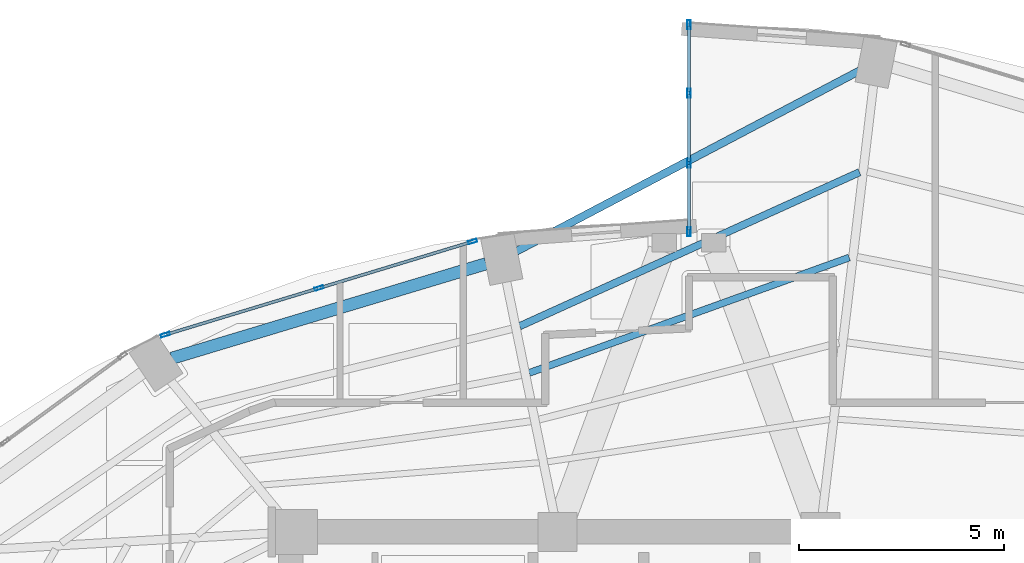
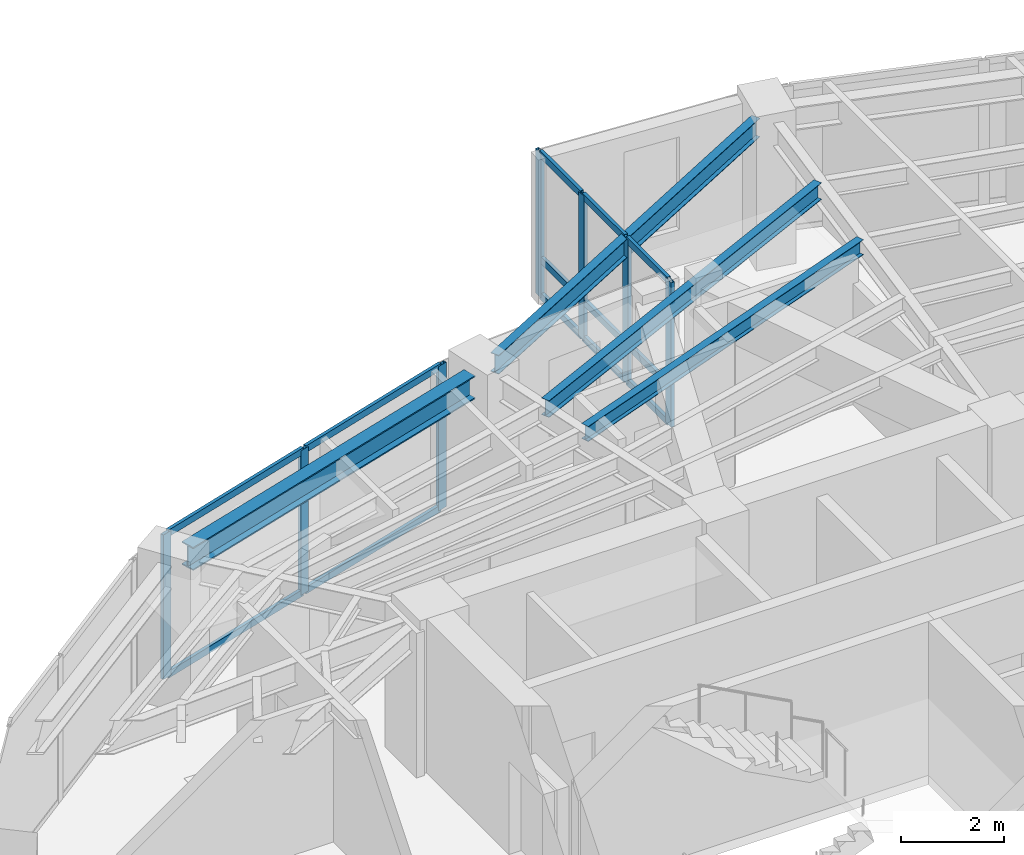
# One storey, part 12 of 20: 20 members, 4 beams, 2 elements without a shape of their own.
"""IFC4 building model written with IfcOpenShell, lengths in metres."""

import ifcopenshell
import ifcopenshell.guid

model = None  # the IFC model being written
_history = None  # IfcOwnerHistory: only IFC2X3 demands one
_inside = {}  # id of a spatial element -> (the spatial element, [elements in it])
_under = {}  # id of a project, library or spatial element -> (it, [spatial elements below it])
_declared = {}  # id of a project -> (the project, [libraries it declares])
_typed = {}  # id of a type object -> (the type object, [elements of that type])
_made_of = {}  # id of a material, layer set ... -> (it, [elements and type objects made of it])


def new_model(schema):
    """Start an empty IFC model of exactly this schema.

    Asked for "IFC4X3", IfcOpenShell would pick the latest addendum, in which some entities
    have other attributes; the version numbers below select the first issue.
    IFC2X3 requires an IfcOwnerHistory on every rooted entity: one is made here for all.
    """
    global model, _history
    if schema == "IFC4X3":
        model = ifcopenshell.file(schema_version=(4, 3, 0, 0))
    else:
        model = ifcopenshell.file(schema=schema)
    _inside.clear()
    _under.clear()
    _declared.clear()
    _typed.clear()
    _made_of.clear()
    _history = None
    if model.schema == "IFC2X3":
        org = make("IfcOrganization", Name="unknown")
        user = make(
            "IfcPersonAndOrganization",
            ThePerson=make("IfcPerson", FamilyName="unknown"),
            TheOrganization=org,
        )
        app = make(
            "IfcApplication",
            ApplicationDeveloper=org,
            Version="unknown",
            ApplicationFullName="unknown",
            ApplicationIdentifier="unknown",
        )
        _history = make(
            "IfcOwnerHistory",
            OwningUser=user,
            OwningApplication=app,
            ChangeAction="ADDED",
            CreationDate=0,
        )
    return model


def make(cls, **values):
    """One entity of the class cls with the attributes given. An attribute that is None is left unset."""
    return model.create_entity(
        cls, **{name: value for name, value in values.items() if value is not None}
    )


def rooted(cls, **values):
    """An entity with a GlobalId (a new one), such as an element, a storey or a relation."""
    return make(cls, GlobalId=ifcopenshell.guid.new(), OwnerHistory=_history, **values)


def si_unit(unit_type, name, prefix=None):
    """IfcSIUnit, for example si_unit("LENGTHUNIT", "METRE", prefix="MILLI")."""
    return make("IfcSIUnit", UnitType=unit_type, Prefix=prefix, Name=name)


def assignment(units):
    """IfcUnitAssignment: the units of a project."""
    return None if units is None else make("IfcUnitAssignment", Units=units)


def point(xyz):
    """IfcCartesianPoint."""
    return None if xyz is None else make("IfcCartesianPoint", Coordinates=xyz)


def direction(xyz):
    """IfcDirection."""
    return None if xyz is None else make("IfcDirection", DirectionRatios=xyz)


def frame(location, z_axis=None, x_axis=None):
    """IfcAxis2Placement3D, a coordinate frame: its origin and axes. An axis left out is left unset."""
    return make(
        "IfcAxis2Placement3D",
        Location=point(location),
        Axis=direction(z_axis),
        RefDirection=direction(x_axis),
    )


def frame_2d(location, x_axis=None):
    """IfcAxis2Placement2D, a coordinate frame in the plane: its origin and x axis."""
    return make(
        "IfcAxis2Placement2D", Location=point(location), RefDirection=direction(x_axis)
    )


def origin():
    """The frame at (0, 0, 0) with its axes left unset."""
    return frame((0.0, 0.0, 0.0))


def origin_2d():
    """The frame at (0, 0) in the plane with its x axis left unset."""
    return frame_2d((0.0, 0.0))


def place(relative_to, where):
    """IfcLocalPlacement: puts the frame where relative to a parent placement (None: the world)."""
    return make(
        "IfcLocalPlacement", PlacementRelTo=relative_to, RelativePlacement=where
    )


def context(
    kind, dimensions, precision=None, world=None, true_north=None, identifier=None
):
    """IfcGeometricRepresentationContext, for example the 3D "Model" context."""
    return make(
        "IfcGeometricRepresentationContext",
        ContextIdentifier=identifier,
        ContextType=kind,
        CoordinateSpaceDimension=dimensions,
        Precision=precision,
        WorldCoordinateSystem=world,
        TrueNorth=true_north,
    )


def subcontext(parent, identifier, kind, view, scale=None):
    """IfcGeometricRepresentationSubContext, for example "Body" below "Model"."""
    return make(
        "IfcGeometricRepresentationSubContext",
        ContextIdentifier=identifier,
        ContextType=kind,
        ParentContext=parent,
        TargetScale=scale,
        TargetView=view,
    )


def project(units=None, contexts=None):
    """IfcProject with its units and contexts."""
    return rooted(
        "IfcProject",
        Name="project",
        RepresentationContexts=contexts,
        UnitsInContext=assignment(units),
    )


def spatial(cls, under=None, at=None, **own):
    """A site, building, storey or space (cls), placed at a placement, below another one or the project."""
    s = rooted(cls, ObjectPlacement=at, **own)
    if under is not None:
        _under.setdefault(under.id(), (under, []))[1].append(s)
    return s


def profile(cls, at=None, kind="AREA", **sizes):
    """A parametric profile (cls). Its sizes go by their IFC names, for example OverallWidth=200.0."""
    return make(cls, ProfileType=kind, Position=at, **sizes)


def hollow_rectangle(**sizes):
    """IfcRectangleHollowProfileDef."""
    return profile("IfcRectangleHollowProfileDef", **sizes)


def i_section(**sizes):
    """IfcIShapeProfileDef."""
    return profile("IfcIShapeProfileDef", **sizes)


def extrude(swept, where, along, depth):
    """IfcExtrudedAreaSolid: the profile swept, set in the frame where, extruded along a direction by depth."""
    return make(
        "IfcExtrudedAreaSolid",
        SweptArea=swept,
        Position=where,
        ExtrudedDirection=direction(along),
        Depth=depth,
    )


def shape(context_of_items, identifier, shape_type, items):
    """IfcShapeRepresentation: the items that make up one representation, for example the "Body"."""
    return make(
        "IfcShapeRepresentation",
        ContextOfItems=context_of_items,
        RepresentationIdentifier=identifier,
        RepresentationType=shape_type,
        Items=items,
    )


def material(Name=None, Category=None):
    """IfcMaterial."""
    return make("IfcMaterial", Name=Name, Category=Category)


def layer(
    of_material, thickness, ventilated=None, Name=None, Category=None, Priority=None
):
    """IfcMaterialLayer: one layer of a wall or slab, of a material (None: an air gap)."""
    return make(
        "IfcMaterialLayer",
        Material=of_material,
        LayerThickness=thickness,
        IsVentilated=ventilated,
        Name=Name,
        Category=Category,
        Priority=Priority,
    )


def layer_set(layers, Name=None):
    """IfcMaterialLayerSet."""
    return make("IfcMaterialLayerSet", MaterialLayers=layers, LayerSetName=Name)


def material_profile(
    of_material, cross_section, Name=None, Category=None, Priority=None
):
    """IfcMaterialProfile: a cross section and its material."""
    return make(
        "IfcMaterialProfile",
        Name=Name,
        Material=of_material,
        Profile=cross_section,
        Priority=Priority,
        Category=Category,
    )


def profile_set(profiles, Name=None, composite=None):
    """IfcMaterialProfileSet."""
    return make(
        "IfcMaterialProfileSet",
        Name=Name,
        MaterialProfiles=profiles,
        CompositeProfile=composite,
    )


def made_of(thing, what):
    """Note that an element or type object is made of a material, layer set ...; save() writes the relation."""
    if what is not None:
        _made_of.setdefault(what.id(), (what, []))[1].append(thing)
    return thing


def type_object(cls, material=None, **own):
    """A type object (cls), such as IfcWallType, which elements share."""
    return made_of(rooted(cls, **own), material)


def element(
    cls,
    number,
    at=None,
    inside=None,
    cuts=None,
    type_object=None,
    material=None,
    context=None,
    identifier="Body",
    shape_type=None,
    held_by="IfcProductDefinitionShape",
    body=None,
    shapes=None,
    **own,
):
    """One element of the class cls, such as IfcWall. Its Tag is "e" and its number.

    at: its placement. inside: the storey or other place that contains it. cuts: it is an
    opening in that element (IfcRelVoidsElement). A single representation is given by context,
    identifier, shape_type and body (its items); several are given by shapes. held_by: the class
    of the entity that holds the representations. save() writes the other relations.
    """
    e = rooted(cls, Tag="e%d" % number, ObjectPlacement=at, **own)
    if body is not None:
        shapes = [shape(context, identifier, shape_type, body)]
    if shapes is not None:
        e.Representation = make(held_by, Representations=shapes)
    if inside is not None:
        _inside.setdefault(inside.id(), (inside, []))[1].append(e)
    if cuts is not None:
        rooted(
            "IfcRelVoidsElement", RelatingBuildingElement=cuts, RelatedOpeningElement=e
        )
    if type_object is not None:
        _typed.setdefault(type_object.id(), (type_object, []))[1].append(e)
    return made_of(e, material)


def aggregate(whole, parts):
    """IfcRelAggregates: a whole, such as a stair, and the parts it consists of."""
    return rooted("IfcRelAggregates", RelatingObject=whole, RelatedObjects=parts)


def save(model, path):
    """Write the relations noted so far, then the file.

    IfcRelAggregates (storeys below a building ...), IfcRelContainedInSpatialStructure (elements
    in a storey), IfcRelDefinesByType, IfcRelAssociatesMaterial and IfcRelDeclares: one each for
    every whole, place, type object, material and project.
    """
    for whole, parts in _under.values():
        aggregate(whole, parts)
    for where, things in _inside.values():
        rooted(
            "IfcRelContainedInSpatialStructure",
            RelatedElements=things,
            RelatingStructure=where,
        )
    for kind, things in _typed.values():
        rooted("IfcRelDefinesByType", RelatedObjects=things, RelatingType=kind)
    for what, things in _made_of.values():
        rooted("IfcRelAssociatesMaterial", RelatedObjects=things, RelatingMaterial=what)
    for by, libraries in _declared.values():
        rooted("IfcRelDeclares", RelatingContext=by, RelatedDefinitions=libraries)
    model.write(path)


model = new_model("IFC4")

# Units and contexts
model_context = context("Model", 3, precision=1e-05, world=origin(), true_north=direction((0.0, 1.0)))
body_context = subcontext(model_context, "Body", "Model", "MODEL_VIEW")
ifc_project = project(units=[si_unit("LENGTHUNIT", "METRE"), si_unit("AREAUNIT", "SQUARE_METRE"), si_unit("VOLUMEUNIT", "CUBIC_METRE"), si_unit("PLANEANGLEUNIT", "RADIAN"), si_unit("MASSUNIT", "GRAM", prefix="KILO")], contexts=[model_context])

# Site, building, storey
site_placement = place(None, origin())
site = spatial("IfcSite", under=ifc_project, at=site_placement, CompositionType="ELEMENT")
building_placement = place(site_placement, origin())
building = spatial("IfcBuilding", under=site, at=building_placement, Name="Lazwardi Medical Tower", CompositionType="ELEMENT")
storey_placement = place(building_placement, frame((0.0, 0.0, 156.528076171875)))
storey = spatial("IfcBuildingStorey", under=building, at=storey_placement, Name="L40", CompositionType="ELEMENT", Elevation=156.528076171875)

# Beams
ifc_material_1 = material(Name="Steel S355", Category="steel")
ifc_material_profile_1 = material_profile(ifc_material_1, i_section(OverallWidth=0.300048828125, OverallDepth=0.550048828125, WebThickness=0.014892578125, FlangeThickness=0.029052734375, at=origin_2d()), Name="HEB 550")
ifc_profile_set_1 = profile_set([ifc_material_profile_1], Name="Steel S355")
beam_type_1 = type_object("IfcBeamType", Name="BM-RB-Z3", PredefinedType="BEAM", material=ifc_profile_set_1)
beam_1_placement = place(storey_placement, frame((31.056884765625, 42.133544921875, 3.15283203125), z_axis=(-0.957616873483, -0.288045002771, 0.0), x_axis=(0.288045002771, -0.957616873483, 0.0)))
element("IfcBeam", 1, at=beam_1_placement, inside=storey, type_object=beam_type_1, Name="Ring beam RB-04 B09 L40", PredefinedType="BEAM", context=body_context, shape_type="SweptSolid", body=[
    extrude(i_section(OverallWidth=0.300048828125, OverallDepth=0.550048828125, WebThickness=0.014892578125, FlangeThickness=0.029052734375, at=origin_2d()), origin(), (0.0, 0.0, 1.0), 7.99951171875),
])
ifc_material_profile_2 = material_profile(ifc_material_1, i_section(OverallWidth=0.179931640625, OverallDepth=0.39990234375, WebThickness=0.008544921875, FlangeThickness=0.013427734375, at=origin_2d()), Name="IPE 400")
ifc_profile_set_2 = profile_set([ifc_material_profile_2], Name="Steel S355")
beam_type_2 = type_object("IfcBeamType", Name="BM-SJ-01", PredefinedType="JOIST", material=ifc_profile_set_2)
beam_2_placement = place(storey_placement, frame((40.155029296875, 44.3642578125, 3.22802734375), z_axis=(-0.910834000674, -0.412772846995, 0.0), x_axis=(0.412772846995, -0.910834000674, 0.0)))
element("IfcBeam", 2, at=beam_2_placement, inside=storey, type_object=beam_type_2, Name="Secondary joist SJ-01 R1 B08 L40", PredefinedType="JOIST", context=body_context, shape_type="SweptSolid", body=[
    extrude(i_section(OverallWidth=0.179931640625, OverallDepth=0.39990234375, WebThickness=0.008544921875, FlangeThickness=0.013427734375, at=origin_2d()), origin(), (0.0, 0.0, 1.0), 9.09130859375),
])
ifc_material_profile_3 = material_profile(ifc_material_1, i_section(OverallWidth=0.169921875, OverallDepth=0.360107421875, WebThickness=0.008056640625, FlangeThickness=0.0126953125, at=origin_2d()), Name="IPE 360")
ifc_profile_set_3 = profile_set([ifc_material_profile_3], Name="Steel S355")
beam_type_3 = type_object("IfcBeamType", Name="BM-SJ-02", PredefinedType="JOIST", material=ifc_profile_set_3)
beam_3_placement = place(storey_placement, frame((39.904052734375, 42.284423828125, 3.247802734375), z_axis=(-0.940747993319, -0.339106492221, 0.0), x_axis=(0.339106492221, -0.940747993319, 0.0)))
element("IfcBeam", 3, at=beam_3_placement, inside=storey, type_object=beam_type_3, Name="Secondary joist SJ-02 R2 B08 L40", PredefinedType="JOIST", context=body_context, shape_type="SweptSolid", body=[
    extrude(i_section(OverallWidth=0.169921875, OverallDepth=0.360107421875, WebThickness=0.008056640625, FlangeThickness=0.0126953125, at=origin_2d()), origin(), (0.0, 0.0, 1.0), 8.28662109375),
])
ifc_material_profile_4 = material_profile(ifc_material_1, i_section(OverallWidth=0.18994140625, OverallDepth=0.449951171875, WebThickness=0.009521484375, FlangeThickness=0.0146484375, at=origin_2d()), Name="IPE 450")
ifc_profile_set_4 = profile_set([ifc_material_profile_4], Name="Steel S355")
beam_type_4 = type_object("IfcBeamType", Name="BM-SP-01", PredefinedType="SPANDREL", material=ifc_profile_set_4)
beam_4_placement = place(storey_placement, frame((40.206298828125, 46.862548828125, 3.202880859375), z_axis=(-0.884926578414, -0.465730556026, 0.0), x_axis=(0.465730556026, -0.884926578414, 0.0)))
element("IfcBeam", 4, at=beam_4_placement, inside=storey, type_object=beam_type_4, Name="Spandrel beam SP-01 B08 L40", PredefinedType="SPANDREL", context=body_context, shape_type="SweptSolid", body=[
    extrude(i_section(OverallWidth=0.18994140625, OverallDepth=0.449951171875, WebThickness=0.009521484375, FlangeThickness=0.0146484375, at=origin_2d()), origin(), (0.0, 0.0, 1.0), 9.506591796875),
])

# Curtain wall, members
ifc_material_2 = material(Name="Anodised bronze aluminium and solar control glazing", Category="aluminium")
ifc_layer_1 = layer(ifc_material_2, 0.195068359375)
ifc_layer_set_1 = layer_set([ifc_layer_1], Name="Anodised bronze aluminium and solar control glazing")
curtain_wall_type_1 = type_object("IfcCurtainWallType", Name="CW-SYS-03", PredefinedType="NOTDEFINED", material=ifc_layer_set_1)
curtain_wall_1_placement = place(storey_placement, origin())
curtain_wall_1 = element("IfcCurtainWall", 5, at=curtain_wall_1_placement, inside=storey, type_object=curtain_wall_type_1, Name="L40 Unitised bronze curtain wall CW-03", PredefinedType="NOTDEFINED")
ifc_material_3 = material(Name="Anodised bronze aluminium", Category="aluminium")
ifc_material_profile_5 = material_profile(ifc_material_3, hollow_rectangle(XDim=0.074951171875, YDim=0.219970703125, WallThickness=0.00390625, at=origin_2d()), Name="ALU-MULLION 220x75x4")
ifc_profile_set_5 = profile_set([ifc_material_profile_5], Name="Anodised bronze aluminium")
member_type_1 = type_object("IfcMemberType", Name="CW-MUL-01", PredefinedType="MULLION", material=ifc_profile_set_5)
member_1_placement = place(storey_placement, frame((30.72802734375, 42.674072265625, 0.0), z_axis=(0.0, 0.0, 1.0), x_axis=(0.290280785441, -0.956941516292, 0.0)))
member_1 = element("IfcMember", 6, at=member_1_placement, type_object=member_type_1, Name="CW-03 mullion 1", PredefinedType="MULLION", context=body_context, shape_type="SweptSolid", body=[
    extrude(hollow_rectangle(XDim=0.074951171875, YDim=0.219970703125, WallThickness=0.00390625, at=origin_2d()), origin(), (0.0, 0.0, 1.0), 3.427978515625),
])
member_2_placement = place(storey_placement, frame((26.98486328125, 41.538818359375, 0.0), z_axis=(0.0, 0.0, 1.0), x_axis=(0.290280785441, -0.956941516292, 0.0)))
member_2 = element("IfcMember", 7, at=member_2_placement, type_object=member_type_1, Name="CW-03 mullion 2", PredefinedType="MULLION", context=body_context, shape_type="SweptSolid", body=[
    extrude(hollow_rectangle(XDim=0.074951171875, YDim=0.219970703125, WallThickness=0.00390625, at=origin_2d()), origin(), (0.0, 0.0, 1.0), 3.427978515625),
])
member_3_placement = place(storey_placement, frame((23.241943359375, 40.4033203125, 0.0), z_axis=(0.0, 0.0, 1.0), x_axis=(0.290280785441, -0.956941516292, 0.0)))
member_3 = element("IfcMember", 8, at=member_3_placement, type_object=member_type_1, Name="CW-03 mullion 3", PredefinedType="MULLION", context=body_context, shape_type="SweptSolid", body=[
    extrude(hollow_rectangle(XDim=0.074951171875, YDim=0.219970703125, WallThickness=0.00390625, at=origin_2d()), origin(), (0.0, 0.0, 1.0), 3.427978515625),
])

ifc_layer_2 = layer(ifc_material_2, 0.2099609375)
ifc_layer_set_2 = layer_set([ifc_layer_2], Name="Anodised bronze aluminium and solar control glazing")
curtain_wall_type_2 = type_object("IfcCurtainWallType", Name="CW-SYS-06", PredefinedType="NOTDEFINED", material=ifc_layer_set_2)
curtain_wall_2_placement = place(storey_placement, origin())
curtain_wall_2 = element("IfcCurtainWall", 9, at=curtain_wall_2_placement, inside=storey, type_object=curtain_wall_type_2, Name="L40 Unitised bronze curtain wall CW-06", PredefinedType="NOTDEFINED")
member_4_placement = place(storey_placement, frame((36.0, 47.96240234375, 0.0), z_axis=(0.0, 0.0, 1.0), x_axis=(1.0, 0.0, 0.0)))
member_4 = element("IfcMember", 10, at=member_4_placement, type_object=member_type_1, Name="CW-06 mullion 1", PredefinedType="MULLION", context=body_context, shape_type="SweptSolid", body=[
    extrude(hollow_rectangle(XDim=0.074951171875, YDim=0.219970703125, WallThickness=0.00390625, at=origin_2d()), origin(), (0.0, 0.0, 1.0), 3.427978515625),
])
member_5_placement = place(storey_placement, frame((36.0, 46.293212890625, 0.0), z_axis=(0.0, 0.0, 1.0), x_axis=(1.0, 0.0, 0.0)))
member_5 = element("IfcMember", 11, at=member_5_placement, type_object=member_type_1, Name="CW-06 mullion 2", PredefinedType="MULLION", context=body_context, shape_type="SweptSolid", body=[
    extrude(hollow_rectangle(XDim=0.074951171875, YDim=0.219970703125, WallThickness=0.00390625, at=origin_2d()), origin(), (0.0, 0.0, 1.0), 3.427978515625),
])
member_6_placement = place(storey_placement, frame((36.0, 44.586669921875, 0.0), z_axis=(0.0, 0.0, 1.0), x_axis=(1.0, 0.0, 0.0)))
member_6 = element("IfcMember", 12, at=member_6_placement, type_object=member_type_1, Name="CW-06 mullion 3", PredefinedType="MULLION", context=body_context, shape_type="SweptSolid", body=[
    extrude(hollow_rectangle(XDim=0.074951171875, YDim=0.219970703125, WallThickness=0.00390625, at=origin_2d()), origin(), (0.0, 0.0, 1.0), 3.427978515625),
])
member_7_placement = place(storey_placement, frame((36.0, 42.91748046875, 0.0), z_axis=(0.0, 0.0, 1.0), x_axis=(1.0, 0.0, 0.0)))
member_7 = element("IfcMember", 13, at=member_7_placement, type_object=member_type_1, Name="CW-06 mullion 4", PredefinedType="MULLION", context=body_context, shape_type="SweptSolid", body=[
    extrude(hollow_rectangle(XDim=0.074951171875, YDim=0.219970703125, WallThickness=0.00390625, at=origin_2d()), origin(), (0.0, 0.0, 1.0), 3.427978515625),
])

# Member
ifc_material_profile_6 = material_profile(ifc_material_3, hollow_rectangle(XDim=0.074951171875, YDim=0.159912109375, WallThickness=0.00390625, at=origin_2d()), Name="ALU-TRANSOM 160x75x4")
ifc_profile_set_6 = profile_set([ifc_material_profile_6], Name="Anodised bronze aluminium")
member_type_2 = type_object("IfcMemberType", Name="CW-TRN-01", PredefinedType="USERDEFINED", material=ifc_profile_set_6)
member_8_placement = place(storey_placement, frame((30.692138671875, 42.663330078125, 0.037353515625), z_axis=(-0.956935517424, -0.290300560612, 0.0), x_axis=(0.290300560612, -0.956935517424, 0.0)))
member_8 = element("IfcMember", 14, at=member_8_placement, type_object=member_type_2, Name="CW-03 transom 1.1", ObjectType="TRANSOM", PredefinedType="USERDEFINED", context=body_context, shape_type="SweptSolid", body=[
    extrude(hollow_rectangle(XDim=0.074951171875, YDim=0.159912109375, WallThickness=0.00390625, at=origin_2d()), origin(), (0.0, 0.0, 1.0), 3.836669921875),
])

member_9_placement = place(storey_placement, frame((30.692138671875, 42.663330078125, 3.390380859375), z_axis=(-0.956935517424, -0.290300560612, 0.0), x_axis=(0.290300560612, -0.956935517424, 0.0)))
member_9 = element("IfcMember", 15, at=member_9_placement, type_object=member_type_2, Name="CW-03 transom 1.2", ObjectType="TRANSOM", PredefinedType="USERDEFINED", context=body_context, shape_type="SweptSolid", body=[
    extrude(hollow_rectangle(XDim=0.074951171875, YDim=0.159912109375, WallThickness=0.00390625, at=origin_2d()), origin(), (0.0, 0.0, 1.0), 3.836669921875),
])

member_10_placement = place(storey_placement, frame((26.948974609375, 41.52783203125, 0.037353515625), z_axis=(-0.956930154175, -0.290318239233, 0.0), x_axis=(0.290318239233, -0.956930154175, 0.0)))
member_10 = element("IfcMember", 16, at=member_10_placement, type_object=member_type_2, Name="CW-03 transom 2.1", ObjectType="TRANSOM", PredefinedType="USERDEFINED", context=body_context, shape_type="SweptSolid", body=[
    extrude(hollow_rectangle(XDim=0.074951171875, YDim=0.159912109375, WallThickness=0.00390625, at=origin_2d()), origin(), (0.0, 0.0, 1.0), 3.83642578125),
])

member_11_placement = place(storey_placement, frame((26.948974609375, 41.52783203125, 3.390380859375), z_axis=(-0.956930154175, -0.290318239233, 0.0), x_axis=(0.290318239233, -0.956930154175, 0.0)))
member_11 = element("IfcMember", 17, at=member_11_placement, type_object=member_type_2, Name="CW-03 transom 2.2", ObjectType="TRANSOM", PredefinedType="USERDEFINED", context=body_context, shape_type="SweptSolid", body=[
    extrude(hollow_rectangle(XDim=0.074951171875, YDim=0.159912109375, WallThickness=0.00390625, at=origin_2d()), origin(), (0.0, 0.0, 1.0), 3.83642578125),
])

aggregate(curtain_wall_1, [member_1, member_2, member_3, member_8, member_9, member_10, member_11])

member_12_placement = place(storey_placement, frame((36.0, 47.925048828125, 0.037353515625), z_axis=(0.0, -1.0, 0.0), x_axis=(1.0, 0.0, 0.0)))
member_12 = element("IfcMember", 18, at=member_12_placement, type_object=member_type_2, Name="CW-06 transom 1.1", ObjectType="TRANSOM", PredefinedType="USERDEFINED", context=body_context, shape_type="SweptSolid", body=[
    extrude(hollow_rectangle(XDim=0.074951171875, YDim=0.159912109375, WallThickness=0.00390625, at=origin_2d()), origin(), (0.0, 0.0, 1.0), 1.59423828125),
])

member_13_placement = place(storey_placement, frame((36.0, 47.925048828125, 0.89990234375), z_axis=(0.0, -1.0, 0.0), x_axis=(1.0, 0.0, 0.0)))
member_13 = element("IfcMember", 19, at=member_13_placement, type_object=member_type_2, Name="CW-06 transom 1.2", ObjectType="TRANSOM", PredefinedType="USERDEFINED", context=body_context, shape_type="SweptSolid", body=[
    extrude(hollow_rectangle(XDim=0.074951171875, YDim=0.159912109375, WallThickness=0.00390625, at=origin_2d()), origin(), (0.0, 0.0, 1.0), 1.59423828125),
])

member_14_placement = place(storey_placement, frame((36.0, 47.925048828125, 3.390380859375), z_axis=(0.0, -1.0, 0.0), x_axis=(1.0, 0.0, 0.0)))
member_14 = element("IfcMember", 20, at=member_14_placement, type_object=member_type_2, Name="CW-06 transom 1.3", ObjectType="TRANSOM", PredefinedType="USERDEFINED", context=body_context, shape_type="SweptSolid", body=[
    extrude(hollow_rectangle(XDim=0.074951171875, YDim=0.159912109375, WallThickness=0.00390625, at=origin_2d()), origin(), (0.0, 0.0, 1.0), 1.59423828125),
])

member_15_placement = place(storey_placement, frame((36.0, 46.255859375, 0.037353515625), z_axis=(0.0, -1.0, 0.0), x_axis=(1.0, 0.0, 0.0)))
member_15 = element("IfcMember", 21, at=member_15_placement, type_object=member_type_2, Name="CW-06 transom 2.1", ObjectType="TRANSOM", PredefinedType="USERDEFINED", context=body_context, shape_type="SweptSolid", body=[
    extrude(hollow_rectangle(XDim=0.074951171875, YDim=0.159912109375, WallThickness=0.00390625, at=origin_2d()), origin(), (0.0, 0.0, 1.0), 1.631591796875),
])

member_16_placement = place(storey_placement, frame((36.0, 46.255859375, 0.89990234375), z_axis=(0.0, -1.0, 0.0), x_axis=(1.0, 0.0, 0.0)))
member_16 = element("IfcMember", 22, at=member_16_placement, type_object=member_type_2, Name="CW-06 transom 2.2", ObjectType="TRANSOM", PredefinedType="USERDEFINED", context=body_context, shape_type="SweptSolid", body=[
    extrude(hollow_rectangle(XDim=0.074951171875, YDim=0.159912109375, WallThickness=0.00390625, at=origin_2d()), origin(), (0.0, 0.0, 1.0), 1.631591796875),
])

member_17_placement = place(storey_placement, frame((36.0, 46.255859375, 3.390380859375), z_axis=(0.0, -1.0, 0.0), x_axis=(1.0, 0.0, 0.0)))
member_17 = element("IfcMember", 23, at=member_17_placement, type_object=member_type_2, Name="CW-06 transom 2.3", ObjectType="TRANSOM", PredefinedType="USERDEFINED", context=body_context, shape_type="SweptSolid", body=[
    extrude(hollow_rectangle(XDim=0.074951171875, YDim=0.159912109375, WallThickness=0.00390625, at=origin_2d()), origin(), (0.0, 0.0, 1.0), 1.631591796875),
])

member_18_placement = place(storey_placement, frame((36.0, 44.549072265625, 0.037353515625), z_axis=(0.0, -1.0, 0.0), x_axis=(1.0, 0.0, 0.0)))
member_18 = element("IfcMember", 24, at=member_18_placement, type_object=member_type_2, Name="CW-06 transom 3.1", ObjectType="TRANSOM", PredefinedType="USERDEFINED", context=body_context, shape_type="SweptSolid", body=[
    extrude(hollow_rectangle(XDim=0.074951171875, YDim=0.159912109375, WallThickness=0.00390625, at=origin_2d()), origin(), (0.0, 0.0, 1.0), 1.593994140625),
])

member_19_placement = place(storey_placement, frame((36.0, 44.549072265625, 0.89990234375), z_axis=(0.0, -1.0, 0.0), x_axis=(1.0, 0.0, 0.0)))
member_19 = element("IfcMember", 25, at=member_19_placement, type_object=member_type_2, Name="CW-06 transom 3.2", ObjectType="TRANSOM", PredefinedType="USERDEFINED", context=body_context, shape_type="SweptSolid", body=[
    extrude(hollow_rectangle(XDim=0.074951171875, YDim=0.159912109375, WallThickness=0.00390625, at=origin_2d()), origin(), (0.0, 0.0, 1.0), 1.593994140625),
])

member_20_placement = place(storey_placement, frame((36.0, 44.549072265625, 3.390380859375), z_axis=(0.0, -1.0, 0.0), x_axis=(1.0, 0.0, 0.0)))
member_20 = element("IfcMember", 26, at=member_20_placement, type_object=member_type_2, Name="CW-06 transom 3.3", ObjectType="TRANSOM", PredefinedType="USERDEFINED", context=body_context, shape_type="SweptSolid", body=[
    extrude(hollow_rectangle(XDim=0.074951171875, YDim=0.159912109375, WallThickness=0.00390625, at=origin_2d()), origin(), (0.0, 0.0, 1.0), 1.593994140625),
])

aggregate(curtain_wall_2, [member_4, member_5, member_6, member_7, member_12, member_13, member_14, member_15, member_16, member_17, member_18, member_19, member_20])

save(model, "model.ifc")
